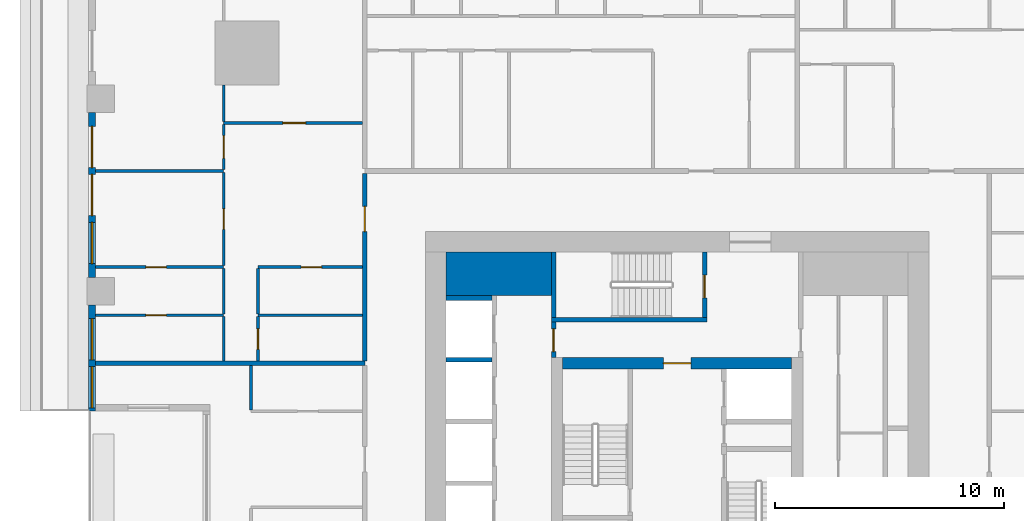
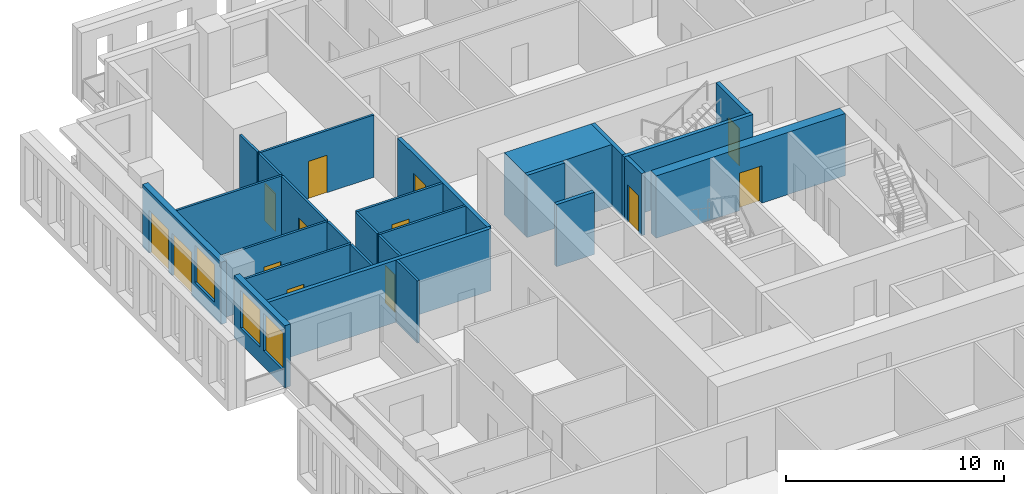
# One storey, part 7 of 16: 26 walls, 13 doors, 3 windows, 16 openings.
"""IFC4 building model written with IfcOpenShell, lengths in metres."""

from ifc_helpers import new_model, si_unit, direction, frame, frame_2d, origin, place, context, subcontext, project, spatial, rectangle, extrude, material, layer, layer_set, type_object, element, fill, save


model = new_model("IFC4")

# Units and contexts
model_context = context("Model", 3, precision=1e-05, world=origin(), true_north=direction((0.0, 1.0)))
body_context = subcontext(model_context, "Body", "Model", "MODEL_VIEW")
ifc_project = project(units=[si_unit("LENGTHUNIT", "METRE"), si_unit("AREAUNIT", "SQUARE_METRE"), si_unit("VOLUMEUNIT", "CUBIC_METRE"), si_unit("PLANEANGLEUNIT", "RADIAN"), si_unit("MASSUNIT", "GRAM", prefix="KILO")], contexts=[model_context])

# Site, building, storey
site_placement = place(None, origin())
site = spatial("IfcSite", under=ifc_project, at=site_placement, CompositionType="ELEMENT")
building_placement = place(site_placement, origin())
building = spatial("IfcBuilding", under=site, at=building_placement, Name="Khepri Terraces", CompositionType="ELEMENT")
storey_placement = place(building_placement, frame((0.0, 0.0, 79.199951171875)))
storey = spatial("IfcBuildingStorey", under=building, at=storey_placement, Name="L18", CompositionType="ELEMENT", Elevation=79.199951171875)

# Walls
ifc_material_1 = material(Name="Concrete C70/85", Category="concrete")
ifc_layer_1 = layer(ifc_material_1, 1.89990234375, Name="Concrete C70/85", Category="concrete")
ifc_layer_set_1 = layer_set([ifc_layer_1], Name="Concrete C70/85")
wall_type_1 = type_object("IfcWallType", Name="Core wall 1900 C70/85", PredefinedType="SHEAR", material=ifc_layer_set_1)
wall_1_placement = place(storey_placement, frame((-10.10009765625, 9.14990234375, 0.0), z_axis=(0.0, 0.0, 1.0), x_axis=(1.0, 0.0, 0.0)))
element("IfcWall", 1, at=wall_1_placement, inside=storey, type_object=wall_type_1, Name="Core wall PR03 L18", PredefinedType="SHEAR", context=body_context, shape_type="SweptSolid", body=[
    extrude(rectangle(XDim=4.60009765625, YDim=1.89990234375, at=frame_2d((2.300048828125, 0.0))), origin(), (0.0, 0.0, 1.0), 3.47998046875),
])
ifc_layer_2 = layer(ifc_material_1, 0.199951171875, Name="Concrete C70/85", Category="concrete")
ifc_layer_set_2 = layer_set([ifc_layer_2], Name="Concrete C70/85")
wall_type_2 = type_object("IfcWallType", Name="Core wall 200 C70/85", PredefinedType="SHEAR", material=ifc_layer_set_2)
wall_2_placement = place(storey_placement, frame((-5.5, 7.14990234375, 0.0), z_axis=(0.0, 0.0, 1.0), x_axis=(1.0, 0.0, 0.0)))
element("IfcWall", 2, at=wall_2_placement, inside=storey, type_object=wall_type_2, Name="Core wall ST05 L18", PredefinedType="SHEAR", context=body_context, shape_type="SweptSolid", body=[
    extrude(rectangle(XDim=6.800048828125, YDim=0.199951171875, at=frame_2d((3.39990234375, 0.0))), origin(), (0.0, 0.0, 1.0), 3.47998046875),
])
wall_3_placement = place(storey_placement, frame((-5.39990234375, 7.25, 0.0), z_axis=(0.0, 0.0, 1.0), x_axis=(0.0, 1.0, 0.0)))
element("IfcWall", 3, at=wall_3_placement, inside=storey, type_object=wall_type_2, Name="Core wall ST06 L18", PredefinedType="SHEAR", context=body_context, shape_type="SweptSolid", body=[
    extrude(rectangle(XDim=2.85009765625, YDim=0.199951171875, at=frame_2d((1.425048828125, 0.0))), origin(), (0.0, 0.0, 1.0), 3.47998046875),
])

# Wall, opening, door
wall_4_placement = place(storey_placement, frame((1.199951171875, 7.25, 0.0), z_axis=(0.0, 0.0, 1.0), x_axis=(0.0, 1.0, 0.0)))
wall_4 = element("IfcWall", 4, at=wall_4_placement, inside=storey, type_object=wall_type_2, Name="Core wall ST07 L18", PredefinedType="SHEAR", context=body_context, shape_type="SweptSolid", body=[
    extrude(rectangle(XDim=2.85009765625, YDim=0.199951171875, at=frame_2d((1.425048828125, 0.0))), origin(), (0.0, 0.0, 1.0), 3.47998046875),
])
opening_1_placement = place(wall_4_placement, frame((0.85009765625, 0.0, 0.0)))
opening_1 = element("IfcOpeningElement", 5, at=opening_1_placement, cuts=wall_4, Name="Opening L18-C15", PredefinedType="OPENING", context=body_context, shape_type="SweptSolid", body=[
    extrude(rectangle(XDim=1.0, YDim=2.10009765625, at=frame_2d((0.5, 1.050048828125))), frame((0.0, 0.10986328125, 0.0), z_axis=(0.0, -1.0, 0.0), x_axis=(1.0, 0.0, 0.0)), (0.0, 0.0, 1.0), 0.219970703125),
])
ifc_material_2 = material(Name="Painted steel", Category="steel")
door_type_1 = type_object("IfcDoorType", Name="DR-CORE-STAIR-1000", OperationType="NOTDEFINED", PredefinedType="DOOR", material=ifc_material_2)
door_1_placement = place(opening_1_placement, origin())
door_1 = element("IfcDoor", 6, at=door_1_placement, inside=storey, type_object=door_type_1, Name="Stair door L18-C15", OperationType="SINGLE_SWING_LEFT", OverallHeight=2.10009765625, OverallWidth=1.0, PredefinedType="DOOR", context=body_context, shape_type="SweptSolid", body=[
    extrude(rectangle(XDim=1.0, YDim=2.10009765625, at=frame_2d((0.5, 1.050048828125))), frame((0.0, 0.02490234375, 0.0), z_axis=(0.0, -1.0, 0.0), x_axis=(1.0, 0.0, 0.0)), (0.0, 0.0, 1.0), 0.050048828125),
])
fill(opening_1, door_1)

# Walls
for number, where, z_axis, x_axis, name in (
    (7, (-10.10009765625, 5.39990234375, 0.0), (0.0, 0.0, 1.0), (1.0, 0.0, 0.0), "Core wall SH19 L18"),
    (8, (-10.10009765625, 8.10009765625, 0.0), (0.0, 0.0, 1.0), (1.0, 0.0, 0.0), "Core wall SH20 L18"),
):
    element("IfcWall", number, at=place(storey_placement, frame(where, z_axis=z_axis, x_axis=x_axis)), inside=storey, type_object=wall_type_2, Name=name, PredefinedType="SHEAR", context=body_context, shape_type="SweptSolid", body=[
        extrude(rectangle(XDim=2.0, YDim=0.199951171875, at=frame_2d((1.0, 0.0))), origin(), (0.0, 0.0, 1.0), 3.47998046875),
    ])

# Wall, opening, door
ifc_layer_3 = layer(ifc_material_1, 0.5, Name="Concrete C70/85", Category="concrete")
ifc_layer_set_3 = layer_set([ifc_layer_3], Name="Concrete C70/85")
wall_type_3 = type_object("IfcWallType", Name="Core wall 500 C70/85", PredefinedType="SHEAR", material=ifc_layer_set_3)
wall_5_placement = place(storey_placement, frame((-5.0, 5.25, 0.0), z_axis=(0.0, 0.0, 1.0), x_axis=(1.0, 0.0, 0.0)))
wall_5 = element("IfcWall", 9, at=wall_5_placement, inside=storey, type_object=wall_type_3, Name="Core wall BX04 L18", PredefinedType="SHEAR", context=body_context, shape_type="SweptSolid", body=[
    extrude(rectangle(XDim=10.0, YDim=0.5, at=frame_2d((5.0, 0.0))), origin(), (0.0, 0.0, 1.0), 3.47998046875),
])
opening_2_placement = place(wall_5_placement, frame((4.39990234375, 0.0, 0.0)))
opening_2 = element("IfcOpeningElement", 10, at=opening_2_placement, cuts=wall_5, Name="Opening L18-C13", PredefinedType="OPENING", context=body_context, shape_type="SweptSolid", body=[
    extrude(rectangle(XDim=1.199951171875, YDim=2.10009765625, at=frame_2d((0.60009765625, 1.050048828125))), frame((0.0, 0.260009765625, 0.0), z_axis=(0.0, -1.0, 0.0), x_axis=(1.0, 0.0, 0.0)), (0.0, 0.0, 1.0), 0.52001953125),
])
door_type_2 = type_object("IfcDoorType", Name="DR-CORE-FF-LOBBY-1200", OperationType="NOTDEFINED", PredefinedType="DOOR", material=ifc_material_2)
door_2_placement = place(opening_2_placement, frame((1.199951171875, 0.0, 0.0), z_axis=(0.0, 0.0, 1.0), x_axis=(-1.0, 0.0, 0.0)))
door_2 = element("IfcDoor", 11, at=door_2_placement, inside=storey, type_object=door_type_2, Name="Firefighting lobby door L18-C13", OperationType="SINGLE_SWING_LEFT", OverallHeight=2.10009765625, OverallWidth=1.199951171875, PredefinedType="DOOR", context=body_context, shape_type="SweptSolid", body=[
    extrude(rectangle(XDim=1.199951171875, YDim=2.10009765625, at=frame_2d((0.60009765625, 1.050048828125))), frame((0.0, 0.02490234375, 0.0), z_axis=(0.0, -1.0, 0.0), x_axis=(1.0, 0.0, 0.0)), (0.0, 0.0, 1.0), 0.050048828125),
])
fill(opening_2, door_2)

ifc_material_3 = material(Name="Fire-rated gypsum board partition")
ifc_layer_4 = layer(ifc_material_3, 0.199951171875, Name="Fire-rated gypsum board partition")
ifc_layer_set_4 = layer_set([ifc_layer_4], Name="Fire-rated gypsum board partition")
wall_type_4 = type_object("IfcWallType", Name="WL-CORE-PART-200", PredefinedType="PARTITIONING", material=ifc_layer_set_4)
wall_6_placement = place(storey_placement, frame((-5.39990234375, 5.5, 0.0), z_axis=(0.0, 0.0, 1.0), x_axis=(0.0, 1.0, 0.0)))
wall_6 = element("IfcWall", 12, at=wall_6_placement, inside=storey, type_object=wall_type_4, Name="Core partition PT07 L18", PredefinedType="PARTITIONING", context=body_context, shape_type="SweptSolid", body=[
    extrude(rectangle(XDim=1.550048828125, YDim=0.199951171875, at=frame_2d((0.77490234375, 0.0))), origin(), (0.0, 0.0, 1.0), 3.47998046875),
])
opening_3_placement = place(wall_6_placement, frame((0.25, 0.0, 0.0)))
opening_3 = element("IfcOpeningElement", 13, at=opening_3_placement, cuts=wall_6, Name="Opening L18-C16", PredefinedType="OPENING", context=body_context, shape_type="SweptSolid", body=[
    extrude(rectangle(XDim=1.0, YDim=2.10009765625, at=frame_2d((0.5, 1.050048828125))), frame((0.0, 0.10986328125, 0.0), z_axis=(0.0, -1.0, 0.0), x_axis=(1.0, 0.0, 0.0)), (0.0, 0.0, 1.0), 0.219970703125),
])
door_type_3 = type_object("IfcDoorType", Name="DR-CORE-LOBBY-1000", OperationType="NOTDEFINED", PredefinedType="DOOR", material=ifc_material_2)
door_3_placement = place(opening_3_placement, frame((1.0, 0.0, 0.0), z_axis=(0.0, 0.0, 1.0), x_axis=(-1.0, 0.0, 0.0)))
door_3 = element("IfcDoor", 14, at=door_3_placement, inside=storey, type_object=door_type_3, Name="Lobby door L18-C16", OperationType="SINGLE_SWING_RIGHT", OverallHeight=2.10009765625, OverallWidth=1.0, PredefinedType="DOOR", context=body_context, shape_type="SweptSolid", body=[
    extrude(rectangle(XDim=1.0, YDim=2.10009765625, at=frame_2d((0.5, 1.050048828125))), frame((0.0, 0.02490234375, 0.0), z_axis=(0.0, -1.0, 0.0), x_axis=(1.0, 0.0, 0.0)), (0.0, 0.0, 1.0), 0.050048828125),
])
fill(opening_3, door_3)

# Wall
ifc_material_4 = material(Name="Fire-rated gypsum plasterboard partition, mineral wool")
ifc_layer_5 = layer(ifc_material_4, 0.199951171875, Name="Fire-rated gypsum plasterboard partition, mineral wool")
ifc_layer_set_5 = layer_set([ifc_layer_5], Name="Fire-rated gypsum plasterboard partition, mineral wool")
wall_type_5 = type_object("IfcWallType", Name="WL-CORR-200", PredefinedType="PARTITIONING", material=ifc_layer_set_5)
wall_7_placement = place(storey_placement, frame((-25.419921875, 5.25, 0.0), z_axis=(0.0, 0.0, 1.0), x_axis=(1.0, 0.0, 0.0)))
element("IfcWall", 15, at=wall_7_placement, inside=storey, type_object=wall_type_5, Name="Partition P-059 L18", PredefinedType="PARTITIONING", context=body_context, shape_type="SweptSolid", body=[
    extrude(rectangle(XDim=11.77001953125, YDim=0.199951171875, at=frame_2d((5.885009765625, 0.0))), origin(), (0.0, 0.0, 1.0), 3.47998046875),
])

# Wall, opening, door
wall_8_placement = place(storey_placement, frame((-13.64990234375, 5.35009765625, 0.0), z_axis=(0.0, 0.0, 1.0), x_axis=(0.0, 1.0, 0.0)))
wall_8 = element("IfcWall", 16, at=wall_8_placement, inside=storey, type_object=wall_type_5, Name="Partition P-062 L18", PredefinedType="PARTITIONING", context=body_context, shape_type="SweptSolid", body=[
    extrude(rectangle(XDim=8.199951171875, YDim=0.199951171875, at=frame_2d((4.10009765625, 0.0))), origin(), (0.0, 0.0, 1.0), 3.47998046875),
])
opening_4_placement = place(wall_8_placement, frame((5.64990234375, 0.0, 0.0)))
opening_4 = element("IfcOpeningElement", 17, at=opening_4_placement, cuts=wall_8, Name="Opening D1", PredefinedType="OPENING", context=body_context, shape_type="SweptSolid", body=[
    extrude(rectangle(XDim=1.10009765625, YDim=2.39990234375, at=frame_2d((0.550048828125, 1.199951171875))), frame((0.0, 0.10986328125, 0.0), z_axis=(0.0, -1.0, 0.0), x_axis=(1.0, 0.0, 0.0)), (0.0, 0.0, 1.0), 0.219970703125),
])
ifc_material_5 = material(Name="Solid-core timber door leaf, flat entrance door", Category="wood")
door_type_4 = type_object("IfcDoorType", Name="DR-ENT-1100", OperationType="NOTDEFINED", PredefinedType="DOOR", material=ifc_material_5)
door_4_placement = place(opening_4_placement, origin())
door_4 = element("IfcDoor", 18, at=door_4_placement, inside=storey, type_object=door_type_4, Name="Flat D1 entrance door", OperationType="SINGLE_SWING_RIGHT", OverallHeight=2.39990234375, OverallWidth=1.10009765625, PredefinedType="DOOR", context=body_context, shape_type="SweptSolid", body=[
    extrude(rectangle(XDim=1.10009765625, YDim=2.39990234375, at=frame_2d((0.550048828125, 1.199951171875))), frame((0.0, 0.02490234375, 0.0), z_axis=(0.0, -1.0, 0.0), x_axis=(1.0, 0.0, 0.0)), (0.0, 0.0, 1.0), 0.050048828125),
])
fill(opening_4, door_4)

# Wall, openings, doors, window
ifc_material_6 = material(Name="Precast concrete C50/60 warm stone", Category="masonry")
ifc_layer_6 = layer(ifc_material_6, 0.300048828125, Name="Precast concrete C50/60 warm stone", Category="masonry")
ifc_layer_set_6 = layer_set([ifc_layer_6], Name="Precast concrete C50/60 warm stone")
wall_type_6 = type_object("IfcWallType", Name="WL-EXT-PRECAST-300", PredefinedType="STANDARD", material=ifc_layer_set_6)
wall_9_placement = place(storey_placement, frame((-25.570068359375, 16.199951171875, 0.0), z_axis=(0.0, 0.0, 1.0), x_axis=(0.0, -1.0, 0.0)))
wall_9 = element("IfcWall", 19, at=wall_9_placement, inside=storey, type_object=wall_type_6, Name="External wall L18 W", PredefinedType="STANDARD", context=body_context, shape_type="SweptSolid", body=[
    extrude(rectangle(XDim=7.199951171875, YDim=0.300048828125, at=frame_2d((3.60009765625, 0.0))), origin(), (0.0, 0.0, 1.0), 3.47998046875),
])
opening_5_placement = place(wall_9_placement, frame((0.60009765625, 0.0, 0.0)))
opening_5 = element("IfcOpeningElement", 20, at=opening_5_placement, cuts=wall_9, Name="Opening ED-L18-15", PredefinedType="OPENING", context=body_context, shape_type="SweptSolid", body=[
    extrude(rectangle(XDim=1.800048828125, YDim=2.39990234375, at=frame_2d((0.89990234375, 1.199951171875))), frame((0.0, 0.16015625, 0.0), z_axis=(0.0, -1.0, 0.0), x_axis=(1.0, 0.0, 0.0)), (0.0, 0.0, 1.0), 0.320068359375),
])
opening_6_placement = place(wall_9_placement, frame((2.699951171875, 0.0, 0.0)))
opening_6 = element("IfcOpeningElement", 21, at=opening_6_placement, cuts=wall_9, Name="Opening ED-L18-16", PredefinedType="OPENING", context=body_context, shape_type="SweptSolid", body=[
    extrude(rectangle(XDim=1.800048828125, YDim=2.39990234375, at=frame_2d((0.89990234375, 1.199951171875))), frame((0.0, 0.16015625, 0.0), z_axis=(0.0, -1.0, 0.0), x_axis=(1.0, 0.0, 0.0)), (0.0, 0.0, 1.0), 0.320068359375),
])
opening_7_placement = place(wall_9_placement, frame((4.800048828125, 0.0, 0.89990234375)))
opening_7 = element("IfcOpeningElement", 22, at=opening_7_placement, cuts=wall_9, Name="Opening W1", PredefinedType="OPENING", context=body_context, shape_type="SweptSolid", body=[
    extrude(rectangle(XDim=1.800048828125, YDim=2.10009765625, at=frame_2d((0.89990234375, 1.050048828125))), frame((0.0, 0.16015625, 0.0), z_axis=(0.0, -1.0, 0.0), x_axis=(1.0, 0.0, 0.0)), (0.0, 0.0, 1.0), 0.320068359375),
])
ifc_material_7 = material(Name="Anodised aluminium bronze glazed door", Category="aluminium")
door_type_5 = type_object("IfcDoorType", Name="DR-BAL-SLIDE-1800x2400", OperationType="NOTDEFINED", PredefinedType="DOOR", material=ifc_material_7)
door_5_placement = place(opening_5_placement, origin())
door_5 = element("IfcDoor", 23, at=door_5_placement, inside=storey, type_object=door_type_5, Name="Balcony door L18 W", OperationType="SLIDING_TO_LEFT", OverallHeight=2.39990234375, OverallWidth=1.800048828125, PredefinedType="DOOR", context=body_context, shape_type="SweptSolid", body=[
    extrude(rectangle(XDim=1.800048828125, YDim=2.39990234375, at=frame_2d((0.89990234375, 1.199951171875))), frame((0.0, 0.02490234375, 0.0), z_axis=(0.0, -1.0, 0.0), x_axis=(1.0, 0.0, 0.0)), (0.0, 0.0, 1.0), 0.050048828125),
])
fill(opening_5, door_5)
door_6_placement = place(opening_6_placement, origin())
door_6 = element("IfcDoor", 24, at=door_6_placement, inside=storey, type_object=door_type_5, Name="Balcony door L18 W", OperationType="SLIDING_TO_RIGHT", OverallHeight=2.39990234375, OverallWidth=1.800048828125, PredefinedType="DOOR", context=body_context, shape_type="SweptSolid", body=[
    extrude(rectangle(XDim=1.800048828125, YDim=2.39990234375, at=frame_2d((0.89990234375, 1.199951171875))), frame((0.0, 0.02490234375, 0.0), z_axis=(0.0, -1.0, 0.0), x_axis=(1.0, 0.0, 0.0)), (0.0, 0.0, 1.0), 0.050048828125),
])
fill(opening_6, door_6)
ifc_material_8 = material(Name="Clear glass", Category="glass")
window_type = type_object("IfcWindowType", Name="WIN-RES-1800x2100", PartitioningType="SINGLE_PANEL", PredefinedType="WINDOW", material=ifc_material_8)
window_1_placement = place(opening_7_placement, origin())
window_1 = element("IfcWindow", 25, at=window_1_placement, inside=storey, type_object=window_type, Name="Window L18 W", OverallHeight=2.10009765625, OverallWidth=1.800048828125, PartitioningType="SINGLE_PANEL", PredefinedType="WINDOW", context=body_context, shape_type="SweptSolid", body=[
    extrude(rectangle(XDim=1.800048828125, YDim=2.10009765625, at=frame_2d((0.89990234375, 1.050048828125))), frame((0.0, 0.030029296875, 0.0), z_axis=(0.0, -1.0, 0.0), x_axis=(1.0, 0.0, 0.0)), (0.0, 0.0, 1.0), 0.06005859375),
])
fill(opening_7, window_1)

# Wall, openings, windows
wall_10_placement = place(storey_placement, frame((-25.570068359375, 7.800048828125, 0.0), z_axis=(0.0, 0.0, 1.0), x_axis=(0.0, -1.0, 0.0)))
wall_10 = element("IfcWall", 26, at=wall_10_placement, inside=storey, type_object=wall_type_6, Name="External wall L18 W", PredefinedType="STANDARD", context=body_context, shape_type="SweptSolid", body=[
    extrude(rectangle(XDim=4.650146484375, YDim=0.300048828125, at=frame_2d((2.3251953125, 0.0))), origin(), (0.0, 0.0, 1.0), 3.47998046875),
])
opening_8_placement = place(wall_10_placement, frame((0.60009765625, 0.0, 0.89990234375)))
opening_8 = element("IfcOpeningElement", 27, at=opening_8_placement, cuts=wall_10, Name="Opening W1", PredefinedType="OPENING", context=body_context, shape_type="SweptSolid", body=[
    extrude(rectangle(XDim=1.800048828125, YDim=2.10009765625, at=frame_2d((0.89990234375, 1.050048828125))), frame((0.0, 0.16015625, 0.0), z_axis=(0.0, -1.0, 0.0), x_axis=(1.0, 0.0, 0.0)), (0.0, 0.0, 1.0), 0.320068359375),
])
opening_9_placement = place(wall_10_placement, frame((2.699951171875, 0.0, 0.89990234375)))
opening_9 = element("IfcOpeningElement", 28, at=opening_9_placement, cuts=wall_10, Name="Opening W1", PredefinedType="OPENING", context=body_context, shape_type="SweptSolid", body=[
    extrude(rectangle(XDim=1.800048828125, YDim=2.10009765625, at=frame_2d((0.89990234375, 1.050048828125))), frame((0.0, 0.16015625, 0.0), z_axis=(0.0, -1.0, 0.0), x_axis=(1.0, 0.0, 0.0)), (0.0, 0.0, 1.0), 0.320068359375),
])
window_2_placement = place(opening_8_placement, origin())
window_2 = element("IfcWindow", 29, at=window_2_placement, inside=storey, type_object=window_type, Name="Window L18 W", OverallHeight=2.10009765625, OverallWidth=1.800048828125, PartitioningType="SINGLE_PANEL", PredefinedType="WINDOW", context=body_context, shape_type="SweptSolid", body=[
    extrude(rectangle(XDim=1.800048828125, YDim=2.10009765625, at=frame_2d((0.89990234375, 1.050048828125))), frame((0.0, 0.030029296875, 0.0), z_axis=(0.0, -1.0, 0.0), x_axis=(1.0, 0.0, 0.0)), (0.0, 0.0, 1.0), 0.06005859375),
])
fill(opening_8, window_2)
window_3_placement = place(opening_9_placement, origin())
window_3 = element("IfcWindow", 30, at=window_3_placement, inside=storey, type_object=window_type, Name="Window L18 W", OverallHeight=2.10009765625, OverallWidth=1.800048828125, PartitioningType="SINGLE_PANEL", PredefinedType="WINDOW", context=body_context, shape_type="SweptSolid", body=[
    extrude(rectangle(XDim=1.800048828125, YDim=2.10009765625, at=frame_2d((0.89990234375, 1.050048828125))), frame((0.0, 0.030029296875, 0.0), z_axis=(0.0, -1.0, 0.0), x_axis=(1.0, 0.0, 0.0)), (0.0, 0.0, 1.0), 0.06005859375),
])
fill(opening_9, window_3)

# Walls
ifc_material_9 = material(Name="Gypsum plasterboard partition")
ifc_layer_7 = layer(ifc_material_9, 0.1201171875, Name="Gypsum plasterboard partition")
ifc_layer_set_7 = layer_set([ifc_layer_7], Name="Gypsum plasterboard partition")
wall_type_7 = type_object("IfcWallType", Name="WL-PART-120", PredefinedType="PARTITIONING", material=ifc_layer_set_7)
for number, where, z_axis, x_axis, name in (
    (31, (-18.6201171875, 3.2099609375, 0.0), (0.0, 0.0, 1.0), (0.0, 1.0, 0.0), "Partition P-056 L18"),
    (32, (-19.820068359375, 5.35009765625, 0.0), (0.0, 0.0, 1.0), (0.0, 1.0, 0.0), "Partition P-060 L18"),
):
    element("IfcWall", number, at=place(storey_placement, frame(where, z_axis=z_axis, x_axis=x_axis)), inside=storey, type_object=wall_type_7, Name=name, PredefinedType="PARTITIONING", context=body_context, shape_type="SweptSolid", body=[
        extrude(rectangle(XDim=1.93994140625, YDim=0.1201171875, at=frame_2d((0.969970703125, 0.0))), origin(), (0.0, 0.0, 1.0), 3.47998046875),
    ])

# Wall, opening, door
wall_11_placement = place(storey_placement, frame((-18.320068359375, 5.35009765625, 0.0), z_axis=(0.0, 0.0, 1.0), x_axis=(0.0, 1.0, 0.0)))
wall_11 = element("IfcWall", 33, at=wall_11_placement, inside=storey, type_object=wall_type_7, Name="Partition P-061 L18", PredefinedType="PARTITIONING", context=body_context, shape_type="SweptSolid", body=[
    extrude(rectangle(XDim=1.93994140625, YDim=0.1201171875, at=frame_2d((0.969970703125, 0.0))), origin(), (0.0, 0.0, 1.0), 3.47998046875),
])
opening_10_placement = place(wall_11_placement, frame((0.5, 0.0, 0.0)))
opening_10 = element("IfcOpeningElement", 34, at=opening_10_placement, cuts=wall_11, Name="Opening D3", PredefinedType="OPENING", context=body_context, shape_type="SweptSolid", body=[
    extrude(rectangle(XDim=0.89990234375, YDim=2.10009765625, at=frame_2d((0.449951171875, 1.050048828125))), frame((0.0, 0.070068359375, 0.0), z_axis=(0.0, -1.0, 0.0), x_axis=(1.0, 0.0, 0.0)), (0.0, 0.0, 1.0), 0.14013671875),
])
ifc_material_10 = material(Name="Timber door leaf", Category="wood")
door_type_6 = type_object("IfcDoorType", Name="DR-INT-900", OperationType="NOTDEFINED", PredefinedType="DOOR", material=ifc_material_10)
door_7_placement = place(opening_10_placement, frame((0.89990234375, 0.0, 0.0), z_axis=(0.0, 0.0, 1.0), x_axis=(-1.0, 0.0, 0.0)))
door_7 = element("IfcDoor", 35, at=door_7_placement, inside=storey, type_object=door_type_6, Name="Door Kitchen", OperationType="SINGLE_SWING_RIGHT", OverallHeight=2.10009765625, OverallWidth=0.89990234375, PredefinedType="DOOR", context=body_context, shape_type="SweptSolid", body=[
    extrude(rectangle(XDim=0.89990234375, YDim=2.10009765625, at=frame_2d((0.449951171875, 1.050048828125))), frame((0.0, 0.02490234375, 0.0), z_axis=(0.0, -1.0, 0.0), x_axis=(1.0, 0.0, 0.0)), (0.0, 0.0, 1.0), 0.050048828125),
])
fill(opening_10, door_7)

wall_12_placement = place(storey_placement, frame((-25.419921875, 7.35009765625, 0.0), z_axis=(0.0, 0.0, 1.0), x_axis=(1.0, 0.0, 0.0)))
wall_12 = element("IfcWall", 36, at=wall_12_placement, inside=storey, type_object=wall_type_7, Name="Partition P-063 L18", PredefinedType="PARTITIONING", context=body_context, shape_type="SweptSolid", body=[
    extrude(rectangle(XDim=5.599853515625, YDim=0.1201171875, at=frame_2d((2.7998046875, 0.0))), origin(), (0.0, 0.0, 1.0), 3.47998046875),
])
opening_11_placement = place(wall_12_placement, frame((2.199951171875, 0.0, 0.0)))
opening_11 = element("IfcOpeningElement", 37, at=opening_11_placement, cuts=wall_12, Name="Opening D4", PredefinedType="OPENING", context=body_context, shape_type="SweptSolid", body=[
    extrude(rectangle(XDim=0.89990234375, YDim=2.10009765625, at=frame_2d((0.449951171875, 1.050048828125))), frame((0.0, 0.070068359375, 0.0), z_axis=(0.0, -1.0, 0.0), x_axis=(1.0, 0.0, 0.0)), (0.0, 0.0, 1.0), 0.14013671875),
])
ifc_material_11 = material(Name="Timber door leaf, moisture resistant", Category="wood")
door_type_7 = type_object("IfcDoorType", Name="DR-WET-900", OperationType="NOTDEFINED", PredefinedType="DOOR", material=ifc_material_11)
door_8_placement = place(opening_11_placement, frame((0.89990234375, 0.0, 0.0), z_axis=(0.0, 0.0, 1.0), x_axis=(-1.0, 0.0, 0.0)))
door_8 = element("IfcDoor", 38, at=door_8_placement, inside=storey, type_object=door_type_7, Name="Door Bathroom", OperationType="SINGLE_SWING_RIGHT", OverallHeight=2.10009765625, OverallWidth=0.89990234375, PredefinedType="DOOR", context=body_context, shape_type="SweptSolid", body=[
    extrude(rectangle(XDim=0.89990234375, YDim=2.10009765625, at=frame_2d((0.449951171875, 1.050048828125))), frame((0.0, 0.02490234375, 0.0), z_axis=(0.0, -1.0, 0.0), x_axis=(1.0, 0.0, 0.0)), (0.0, 0.0, 1.0), 0.050048828125),
])
fill(opening_11, door_8)

# Walls
wall_13_placement = place(storey_placement, frame((-18.320068359375, 7.35009765625, 0.0), z_axis=(0.0, 0.0, 1.0), x_axis=(1.0, 0.0, 0.0)))
element("IfcWall", 39, at=wall_13_placement, inside=storey, type_object=wall_type_7, Name="Partition P-064 L18", PredefinedType="PARTITIONING", context=body_context, shape_type="SweptSolid", body=[
    extrude(rectangle(XDim=4.570068359375, YDim=0.1201171875, at=frame_2d((2.28515625, 0.0))), origin(), (0.0, 0.0, 1.0), 3.47998046875),
])
for number, where, z_axis, x_axis, name in (
    (40, (-19.820068359375, 7.409912109375, 0.0), (0.0, 0.0, 1.0), (0.0, 1.0, 0.0), "Partition P-065 L18"),
    (41, (-18.320068359375, 7.409912109375, 0.0), (0.0, 0.0, 1.0), (0.0, 1.0, 0.0), "Partition P-066 L18"),
):
    element("IfcWall", number, at=place(storey_placement, frame(where, z_axis=z_axis, x_axis=x_axis)), inside=storey, type_object=wall_type_7, Name=name, PredefinedType="PARTITIONING", context=body_context, shape_type="SweptSolid", body=[
        extrude(rectangle(XDim=1.97998046875, YDim=0.1201171875, at=frame_2d((0.989990234375, 0.0))), origin(), (0.0, 0.0, 1.0), 3.47998046875),
    ])

# Wall, opening, door
wall_14_placement = place(storey_placement, frame((-25.419921875, 9.449951171875, 0.0), z_axis=(0.0, 0.0, 1.0), x_axis=(1.0, 0.0, 0.0)))
wall_14 = element("IfcWall", 42, at=wall_14_placement, inside=storey, type_object=wall_type_7, Name="Partition P-069 L18", PredefinedType="PARTITIONING", context=body_context, shape_type="SweptSolid", body=[
    extrude(rectangle(XDim=5.599853515625, YDim=0.1201171875, at=frame_2d((2.7998046875, 0.0))), origin(), (0.0, 0.0, 1.0), 3.47998046875),
])
opening_12_placement = place(wall_14_placement, frame((2.199951171875, 0.0, 0.0)))
opening_12 = element("IfcOpeningElement", 43, at=opening_12_placement, cuts=wall_14, Name="Opening D3", PredefinedType="OPENING", context=body_context, shape_type="SweptSolid", body=[
    extrude(rectangle(XDim=0.89990234375, YDim=2.10009765625, at=frame_2d((0.449951171875, 1.050048828125))), frame((0.0, 0.070068359375, 0.0), z_axis=(0.0, -1.0, 0.0), x_axis=(1.0, 0.0, 0.0)), (0.0, 0.0, 1.0), 0.14013671875),
])
door_9_placement = place(opening_12_placement, frame((0.89990234375, 0.0, 0.0), z_axis=(0.0, 0.0, 1.0), x_axis=(-1.0, 0.0, 0.0)))
door_9 = element("IfcDoor", 44, at=door_9_placement, inside=storey, type_object=door_type_6, Name="Door Dressing Room", OperationType="SINGLE_SWING_RIGHT", OverallHeight=2.10009765625, OverallWidth=0.89990234375, PredefinedType="DOOR", context=body_context, shape_type="SweptSolid", body=[
    extrude(rectangle(XDim=0.89990234375, YDim=2.10009765625, at=frame_2d((0.449951171875, 1.050048828125))), frame((0.0, 0.02490234375, 0.0), z_axis=(0.0, -1.0, 0.0), x_axis=(1.0, 0.0, 0.0)), (0.0, 0.0, 1.0), 0.050048828125),
])
fill(opening_12, door_9)

wall_15_placement = place(storey_placement, frame((-18.320068359375, 9.449951171875, 0.0), z_axis=(0.0, 0.0, 1.0), x_axis=(1.0, 0.0, 0.0)))
wall_15 = element("IfcWall", 45, at=wall_15_placement, inside=storey, type_object=wall_type_7, Name="Partition P-070 L18", PredefinedType="PARTITIONING", context=body_context, shape_type="SweptSolid", body=[
    extrude(rectangle(XDim=4.570068359375, YDim=0.1201171875, at=frame_2d((2.28515625, 0.0))), origin(), (0.0, 0.0, 1.0), 3.47998046875),
])
opening_13_placement = place(wall_15_placement, frame((1.885009765625, 0.0, 0.0)))
opening_13 = element("IfcOpeningElement", 46, at=opening_13_placement, cuts=wall_15, Name="Opening D4", PredefinedType="OPENING", context=body_context, shape_type="SweptSolid", body=[
    extrude(rectangle(XDim=0.89990234375, YDim=2.10009765625, at=frame_2d((0.449951171875, 1.050048828125))), frame((0.0, 0.070068359375, 0.0), z_axis=(0.0, -1.0, 0.0), x_axis=(1.0, 0.0, 0.0)), (0.0, 0.0, 1.0), 0.14013671875),
])
door_10_placement = place(opening_13_placement, frame((0.89990234375, 0.0, 0.0), z_axis=(0.0, 0.0, 1.0), x_axis=(-1.0, 0.0, 0.0)))
door_10 = element("IfcDoor", 47, at=door_10_placement, inside=storey, type_object=door_type_7, Name="Door Guest Bathroom", OperationType="SINGLE_SWING_LEFT", OverallHeight=2.10009765625, OverallWidth=0.89990234375, PredefinedType="DOOR", context=body_context, shape_type="SweptSolid", body=[
    extrude(rectangle(XDim=0.89990234375, YDim=2.10009765625, at=frame_2d((0.449951171875, 1.050048828125))), frame((0.0, 0.02490234375, 0.0), z_axis=(0.0, -1.0, 0.0), x_axis=(1.0, 0.0, 0.0)), (0.0, 0.0, 1.0), 0.050048828125),
])
fill(opening_13, door_10)

wall_16_placement = place(storey_placement, frame((-19.820068359375, 9.510009765625, 0.0), z_axis=(0.0, 0.0, 1.0), x_axis=(0.0, 1.0, 0.0)))
wall_16 = element("IfcWall", 48, at=wall_16_placement, inside=storey, type_object=wall_type_7, Name="Partition P-072 L18", PredefinedType="PARTITIONING", context=body_context, shape_type="SweptSolid", body=[
    extrude(rectangle(XDim=4.080078125, YDim=0.1201171875, at=frame_2d((2.0400390625, 0.0))), origin(), (0.0, 0.0, 1.0), 3.47998046875),
])
opening_14_placement = place(wall_16_placement, frame((1.590087890625, 0.0, 0.0)))
opening_14 = element("IfcOpeningElement", 49, at=opening_14_placement, cuts=wall_16, Name="Opening D3", PredefinedType="OPENING", context=body_context, shape_type="SweptSolid", body=[
    extrude(rectangle(XDim=0.89990234375, YDim=2.10009765625, at=frame_2d((0.449951171875, 1.050048828125))), frame((0.0, 0.070068359375, 0.0), z_axis=(0.0, -1.0, 0.0), x_axis=(1.0, 0.0, 0.0)), (0.0, 0.0, 1.0), 0.14013671875),
])
door_11_placement = place(opening_14_placement, origin())
door_11 = element("IfcDoor", 50, at=door_11_placement, inside=storey, type_object=door_type_6, Name="Door Master Bedroom", OperationType="SINGLE_SWING_RIGHT", OverallHeight=2.10009765625, OverallWidth=0.89990234375, PredefinedType="DOOR", context=body_context, shape_type="SweptSolid", body=[
    extrude(rectangle(XDim=0.89990234375, YDim=2.10009765625, at=frame_2d((0.449951171875, 1.050048828125))), frame((0.0, 0.02490234375, 0.0), z_axis=(0.0, -1.0, 0.0), x_axis=(1.0, 0.0, 0.0)), (0.0, 0.0, 1.0), 0.050048828125),
])
fill(opening_14, door_11)

# Wall
wall_17_placement = place(storey_placement, frame((-25.419921875, 13.64990234375, 0.0), z_axis=(0.0, 0.0, 1.0), x_axis=(1.0, 0.0, 0.0)))
element("IfcWall", 51, at=wall_17_placement, inside=storey, type_object=wall_type_7, Name="Partition P-078 L18", PredefinedType="PARTITIONING", context=body_context, shape_type="SweptSolid", body=[
    extrude(rectangle(XDim=5.599853515625, YDim=0.1201171875, at=frame_2d((2.7998046875, 0.0))), origin(), (0.0, 0.0, 1.0), 3.47998046875),
])

# Wall, opening, door
wall_18_placement = place(storey_placement, frame((-19.820068359375, 13.7099609375, 0.0), z_axis=(0.0, 0.0, 1.0), x_axis=(0.0, 1.0, 0.0)))
wall_18 = element("IfcWall", 52, at=wall_18_placement, inside=storey, type_object=wall_type_7, Name="Partition P-080 L18", PredefinedType="PARTITIONING", context=body_context, shape_type="SweptSolid", body=[
    extrude(rectangle(XDim=1.97998046875, YDim=0.1201171875, at=frame_2d((0.989990234375, 0.0))), origin(), (0.0, 0.0, 1.0), 3.47998046875),
])
opening_15_placement = place(wall_18_placement, frame((0.489990234375, 0.0, 0.0)))
opening_15 = element("IfcOpeningElement", 53, at=opening_15_placement, cuts=wall_18, Name="Opening D2", PredefinedType="OPENING", context=body_context, shape_type="SweptSolid", body=[
    extrude(rectangle(XDim=1.0, YDim=2.10009765625, at=frame_2d((0.5, 1.050048828125))), frame((0.0, 0.070068359375, 0.0), z_axis=(0.0, -1.0, 0.0), x_axis=(1.0, 0.0, 0.0)), (0.0, 0.0, 1.0), 0.14013671875),
])
ifc_material_12 = material(Name="Timber door leaf, living room door", Category="wood")
door_type_8 = type_object("IfcDoorType", Name="DR-INT-1000", OperationType="NOTDEFINED", PredefinedType="DOOR", material=ifc_material_12)
door_12_placement = place(opening_15_placement, origin())
door_12 = element("IfcDoor", 54, at=door_12_placement, inside=storey, type_object=door_type_8, Name="Door Sun Lounge", OperationType="SINGLE_SWING_LEFT", OverallHeight=2.10009765625, OverallWidth=1.0, PredefinedType="DOOR", context=body_context, shape_type="SweptSolid", body=[
    extrude(rectangle(XDim=1.0, YDim=2.10009765625, at=frame_2d((0.5, 1.050048828125))), frame((0.0, 0.02490234375, 0.0), z_axis=(0.0, -1.0, 0.0), x_axis=(1.0, 0.0, 0.0)), (0.0, 0.0, 1.0), 0.050048828125),
])
fill(opening_15, door_12)

wall_19_placement = place(storey_placement, frame((-19.820068359375, 15.75, 0.0), z_axis=(0.0, 0.0, 1.0), x_axis=(1.0, 0.0, 0.0)))
wall_19 = element("IfcWall", 55, at=wall_19_placement, inside=storey, type_object=wall_type_7, Name="Partition P-091 L18", PredefinedType="PARTITIONING", context=body_context, shape_type="SweptSolid", body=[
    extrude(rectangle(XDim=6.070068359375, YDim=0.1201171875, at=frame_2d((3.03515625, 0.0))), origin(), (0.0, 0.0, 1.0), 3.47998046875),
])
opening_16_placement = place(wall_19_placement, frame((2.5849609375, 0.0, 0.0)))
opening_16 = element("IfcOpeningElement", 56, at=opening_16_placement, cuts=wall_19, Name="Opening D2", PredefinedType="OPENING", context=body_context, shape_type="SweptSolid", body=[
    extrude(rectangle(XDim=1.0, YDim=2.10009765625, at=frame_2d((0.5, 1.050048828125))), frame((0.0, 0.070068359375, 0.0), z_axis=(0.0, -1.0, 0.0), x_axis=(1.0, 0.0, 0.0)), (0.0, 0.0, 1.0), 0.14013671875),
])
door_13_placement = place(opening_16_placement, origin())
door_13 = element("IfcDoor", 57, at=door_13_placement, inside=storey, type_object=door_type_8, Name="Door Family Room", OperationType="SINGLE_SWING_RIGHT", OverallHeight=2.10009765625, OverallWidth=1.0, PredefinedType="DOOR", context=body_context, shape_type="SweptSolid", body=[
    extrude(rectangle(XDim=1.0, YDim=2.10009765625, at=frame_2d((0.5, 1.050048828125))), frame((0.0, 0.02490234375, 0.0), z_axis=(0.0, -1.0, 0.0), x_axis=(1.0, 0.0, 0.0)), (0.0, 0.0, 1.0), 0.050048828125),
])
fill(opening_16, door_13)

# Wall
wall_20_placement = place(storey_placement, frame((-19.820068359375, 15.81005859375, 0.0), z_axis=(0.0, 0.0, 1.0), x_axis=(0.0, 1.0, 0.0)))
element("IfcWall", 58, at=wall_20_placement, inside=storey, type_object=wall_type_7, Name="Partition P-092 L18", PredefinedType="PARTITIONING", context=body_context, shape_type="SweptSolid", body=[
    extrude(rectangle(XDim=1.58984375, YDim=0.1201171875, at=frame_2d((0.794921875, 0.0))), origin(), (0.0, 0.0, 1.0), 3.47998046875),
])

save(model, "model.ifc")
